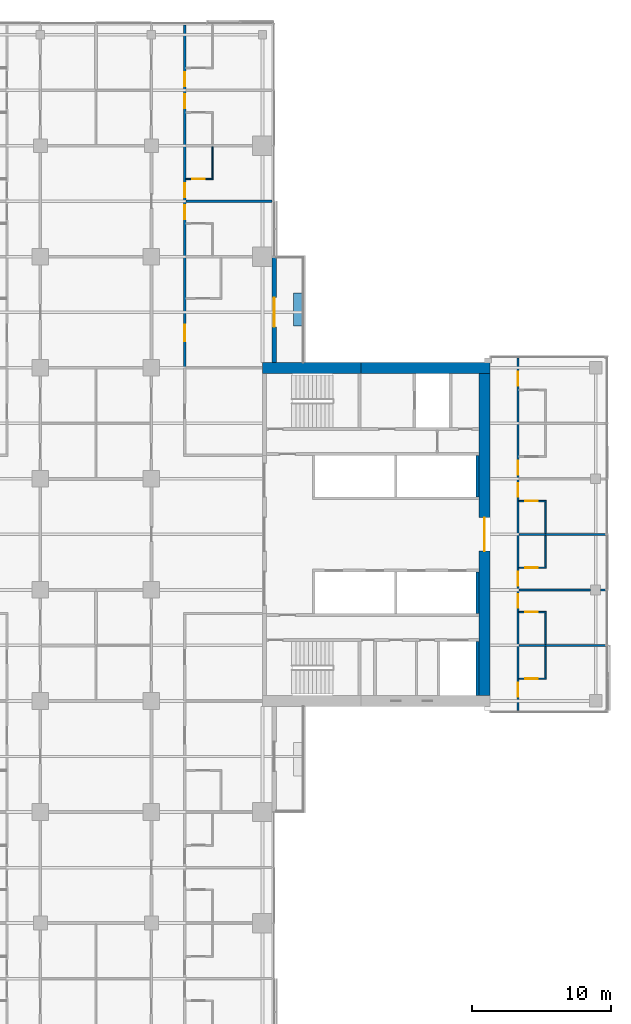
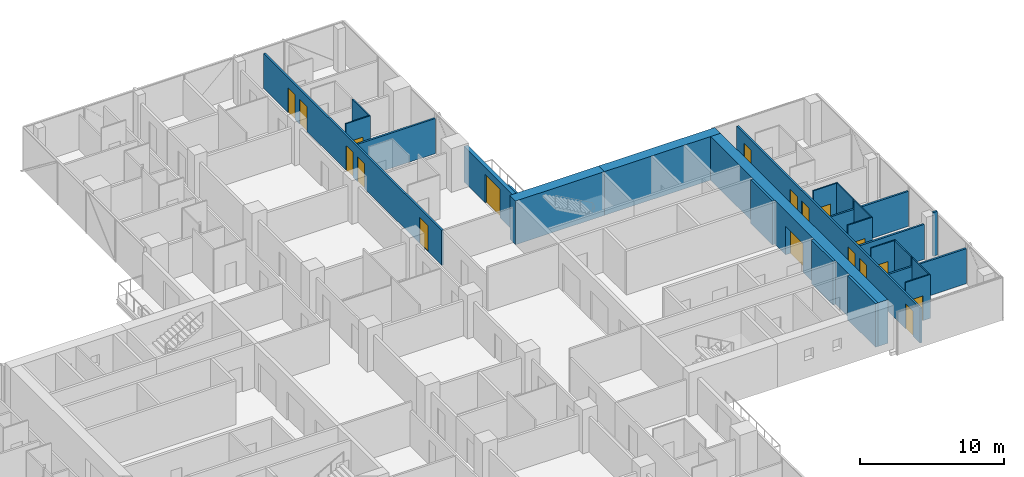
# One storey, part 22 of 29: 25 walls, 18 doors, 18 openings.
"""IFC4 building model written with IfcOpenShell, lengths in metres."""

from ifc_helpers import new_model, si_unit, direction, frame, frame_2d, origin, place, context, subcontext, project, spatial, rectangle, extrude, material, layer, layer_set, constituent, constituent_set, type_object, element, fill, save


model = new_model("IFC4")

# Units and contexts
model_context = context("Model", 3, precision=1e-05, world=origin(), true_north=direction((0.0, 1.0)))
body_context = subcontext(model_context, "Body", "Model", "MODEL_VIEW")
ifc_project = project(units=[si_unit("LENGTHUNIT", "METRE"), si_unit("AREAUNIT", "SQUARE_METRE"), si_unit("VOLUMEUNIT", "CUBIC_METRE"), si_unit("PLANEANGLEUNIT", "RADIAN"), si_unit("MASSUNIT", "GRAM", prefix="KILO")], contexts=[model_context])

# Site, building, storey
site_placement = place(None, origin())
site = spatial("IfcSite", under=ifc_project, at=site_placement, CompositionType="ELEMENT")
building_placement = place(site_placement, origin())
building = spatial("IfcBuilding", under=site, at=building_placement, Name="Crosswind Convention Tower", CompositionType="ELEMENT")
storey_placement = place(building_placement, frame((0.0, 0.0, 53.5)))
storey = spatial("IfcBuildingStorey", under=building, at=storey_placement, Name="L07", CompositionType="ELEMENT", Elevation=53.5)

# Wall, opening, door
ifc_material_1 = material(Name="Concrete C60/75", Category="concrete")
ifc_layer_1 = layer(ifc_material_1, 0.800048828125)
ifc_layer_set_1 = layer_set([ifc_layer_1], Name="Concrete C60/75")
wall_type_1 = type_object("IfcWallType", Name="Concrete core wall 800", PredefinedType="SHEAR", material=ifc_layer_set_1)
wall_1_placement = place(storey_placement, frame((153.0, 88.39990234375, 0.0), z_axis=(0.0, 0.0, 1.0), x_axis=(0.0, 1.0, 0.0)))
wall_1 = element("IfcWall", 1, at=wall_1_placement, inside=storey, type_object=wall_type_1, Name="Wall O E L07", PredefinedType="SHEAR", context=body_context, shape_type="SweptSolid", body=[
    extrude(rectangle(XDim=23.2001953125, YDim=0.800048828125, at=frame_2d((11.60009765625, 0.0))), origin(), (0.0, 0.0, 1.0), 3.699951171875),
])
opening_1_placement = place(wall_1_placement, frame((10.39990234375, 0.0, 0.0)))
opening_1 = element("IfcOpeningElement", 2, at=opening_1_placement, cuts=wall_1, Name="Opening D100", PredefinedType="OPENING", context=body_context, shape_type="SweptSolid", body=[
    extrude(rectangle(XDim=2.39990234375, YDim=2.39990234375, at=frame_2d((1.199951171875, 1.199951171875))), frame((0.0, 0.409912109375, 0.0), z_axis=(0.0, -1.0, 0.0), x_axis=(1.0, 0.0, 0.0)), (0.0, 0.0, 1.0), 0.820068359375),
])
ifc_material_2 = material(Name="Steel fire door with glazed vision panels", Category="steel")
door_type_1 = type_object("IfcDoorType", Name="Fire-rated double door 2400x2400", OperationType="DOUBLE_DOOR_SINGLE_SWING", PredefinedType="DOOR", material=ifc_material_2)
door_1_placement = place(opening_1_placement, origin())
door_1 = element("IfcDoor", 3, at=door_1_placement, inside=storey, type_object=door_type_1, Name="Lobby outer door L07", ObjectType="D100", OperationType="DOUBLE_DOOR_SINGLE_SWING", OverallHeight=2.39990234375, OverallWidth=2.39990234375, PredefinedType="DOOR", context=body_context, shape_type="SweptSolid", body=[
    extrude(rectangle(XDim=2.39990234375, YDim=2.39990234375, at=frame_2d((1.199951171875, 1.199951171875))), frame((0.0, 0.02490234375, 0.0), z_axis=(0.0, -1.0, 0.0), x_axis=(1.0, 0.0, 0.0)), (0.0, 0.0, 1.0), 0.050048828125),
])
fill(opening_1, door_1)

# Walls
ifc_material_3 = material(Name="Concrete C50/60", Category="concrete")
ifc_layer_2 = layer(ifc_material_3, 0.199951171875)
ifc_layer_set_2 = layer_set([ifc_layer_2], Name="Concrete C50/60")
wall_type_2 = type_object("IfcWallType", Name="Concrete shaft and stair wall 200", PredefinedType="SHEAR", material=ifc_layer_set_2)
for number, where, z_axis, x_axis, name in (
    (4, (152.5, 102.699951171875, 0.0), (0.0, 0.0, 1.0), (0.0, 1.0, 0.0), "Wall RPEAST E L07"),
    (5, (152.5, 94.300048828125, 0.0), (0.0, 0.0, 1.0), (0.0, 1.0, 0.0), "Wall RMEAST E L07"),
):
    element("IfcWall", number, at=place(storey_placement, frame(where, z_axis=z_axis, x_axis=x_axis)), inside=storey, type_object=wall_type_2, Name=name, PredefinedType="SHEAR", context=body_context, shape_type="SweptSolid", body=[
        extrude(rectangle(XDim=3.0, YDim=0.199951171875, at=frame_2d((1.5, 0.0))), origin(), (0.0, 0.0, 1.0), 3.699951171875),
    ])
wall_2_placement = place(storey_placement, frame((152.5, 88.39990234375, 0.0), z_axis=(0.0, 0.0, 1.0), x_axis=(0.0, 1.0, 0.0)))
element("IfcWall", 6, at=wall_2_placement, inside=storey, type_object=wall_type_2, Name="Wall MFSE E L07", PredefinedType="SHEAR", context=body_context, shape_type="SweptSolid", body=[
    extrude(rectangle(XDim=3.900146484375, YDim=0.199951171875, at=frame_2d((1.9501953125, 0.0))), origin(), (0.0, 0.0, 1.0), 3.699951171875),
])
ifc_material_4 = material(Name="Acoustic plasterboard partition", Category="gypsum")
ifc_layer_3 = layer(ifc_material_4, 0.14990234375)
ifc_layer_set_3 = layer_set([ifc_layer_3], Name="GUEST ROOM WALL 150")
wall_type_3 = type_object("IfcWallType", Name="GUEST ROOM WALL 150", PredefinedType="PARTITIONING", material=ifc_layer_set_3)
wall_3_placement = place(storey_placement, frame((155.47509765625, 92.0, 0.0), z_axis=(0.0, 0.0, 1.0), x_axis=(1.0, 0.0, 0.0)))
element("IfcWall", 7, at=wall_3_placement, inside=storey, type_object=wall_type_3, Name="Guest Room Wall 30", PredefinedType="PARTITIONING", context=body_context, shape_type="SweptSolid", body=[
    extrude(rectangle(XDim=6.224853515625, YDim=0.14990234375, at=frame_2d((3.1123046875, 0.0))), origin(), (0.0, 0.0, 1.0), 2.962890625),
])
wall_4_placement = place(storey_placement, frame((155.47509765625, 96.0, 0.0), z_axis=(0.0, 0.0, 1.0), x_axis=(1.0, 0.0, 0.0)))
element("IfcWall", 8, at=wall_4_placement, inside=storey, type_object=wall_type_3, Name="Guest Room Wall 39", PredefinedType="PARTITIONING", context=body_context, shape_type="SweptSolid", body=[
    extrude(rectangle(XDim=5.1748046875, YDim=0.14990234375, at=frame_2d((2.58740234375, 0.0))), origin(), (0.0, 0.0, 1.0), 2.956298828125),
])
wall_5_placement = place(storey_placement, frame((161.35009765625, 96.0, 0.0), z_axis=(0.0, 0.0, 1.0), x_axis=(1.0, 0.0, 0.0)))
element("IfcWall", 9, at=wall_5_placement, inside=storey, type_object=wall_type_3, Name="Guest Room Wall 40", PredefinedType="PARTITIONING", context=body_context, shape_type="SweptSolid", body=[
    extrude(rectangle(XDim=0.349853515625, YDim=0.14990234375, at=frame_2d((0.1748046875, 0.0))), origin(), (0.0, 0.0, 1.0), 3.699951171875),
])
for number, where, z_axis, x_axis, name in (
    (10, (155.47509765625, 100.0, 0.0), (0.0, 0.0, 1.0), (1.0, 0.0, 0.0), "Guest Room Wall 44"),
    (11, (131.47509765625, 124.0, 0.0), (0.0, 0.0, 1.0), (1.0, 0.0, 0.0), "Guest Room Wall 72"),
):
    element("IfcWall", number, at=place(storey_placement, frame(where, z_axis=z_axis, x_axis=x_axis)), inside=storey, type_object=wall_type_3, Name=name, PredefinedType="PARTITIONING", context=body_context, shape_type="SweptSolid", body=[
        extrude(rectangle(XDim=6.224853515625, YDim=0.14990234375, at=frame_2d((3.1123046875, 0.0))), origin(), (0.0, 0.0, 1.0), 2.962890625),
    ])

# Wall, openings, doors
wall_6_placement = place(storey_placement, frame((131.39990234375, 112.0, 0.0), z_axis=(0.0, 0.0, 1.0), x_axis=(0.0, 1.0, 0.0)))
wall_6 = element("IfcWall", 12, at=wall_6_placement, inside=storey, type_object=wall_type_3, Name="Guest Room Wall 142", PredefinedType="PARTITIONING", context=body_context, shape_type="SweptSolid", body=[
    extrude(rectangle(XDim=24.699951171875, YDim=0.14990234375, at=frame_2d((12.35009765625, 0.0))), origin(), (0.0, 0.0, 1.0), 2.956298828125),
])
opening_2_placement = place(wall_6_placement, frame((1.89990234375, 0.0, 0.0)))
opening_2 = element("IfcOpeningElement", 13, at=opening_2_placement, cuts=wall_6, Name="Opening 07.005", PredefinedType="OPENING", context=body_context, shape_type="SweptSolid", body=[
    extrude(rectangle(XDim=1.199951171875, YDim=2.199951171875, at=frame_2d((0.60009765625, 1.10009765625))), frame((0.0, 0.0849609375, 0.0), z_axis=(0.0, -1.0, 0.0), x_axis=(1.0, 0.0, 0.0)), (0.0, 0.0, 1.0), 0.169921875),
])
opening_3_placement = place(wall_6_placement, frame((10.699951171875, 0.0, 0.0)))
opening_3 = element("IfcOpeningElement", 14, at=opening_3_placement, cuts=wall_6, Name="Opening 07.007", PredefinedType="OPENING", context=body_context, shape_type="SweptSolid", body=[
    extrude(rectangle(XDim=1.0, YDim=2.10009765625, at=frame_2d((0.5, 1.050048828125))), frame((0.0, 0.0849609375, 0.0), z_axis=(0.0, -1.0, 0.0), x_axis=(1.0, 0.0, 0.0)), (0.0, 0.0, 1.0), 0.169921875),
])
opening_4_placement = place(wall_6_placement, frame((12.300048828125, 0.0, 0.0)))
opening_4 = element("IfcOpeningElement", 15, at=opening_4_placement, cuts=wall_6, Name="Opening 07.009", PredefinedType="OPENING", context=body_context, shape_type="SweptSolid", body=[
    extrude(rectangle(XDim=1.0, YDim=2.10009765625, at=frame_2d((0.5, 1.050048828125))), frame((0.0, 0.0849609375, 0.0), z_axis=(0.0, -1.0, 0.0), x_axis=(1.0, 0.0, 0.0)), (0.0, 0.0, 1.0), 0.169921875),
])
opening_5_placement = place(wall_6_placement, frame((18.699951171875, 0.0, 0.0)))
opening_5 = element("IfcOpeningElement", 16, at=opening_5_placement, cuts=wall_6, Name="Opening 07.011", PredefinedType="OPENING", context=body_context, shape_type="SweptSolid", body=[
    extrude(rectangle(XDim=1.0, YDim=2.10009765625, at=frame_2d((0.5, 1.050048828125))), frame((0.0, 0.0849609375, 0.0), z_axis=(0.0, -1.0, 0.0), x_axis=(1.0, 0.0, 0.0)), (0.0, 0.0, 1.0), 0.169921875),
])
opening_6_placement = place(wall_6_placement, frame((20.300048828125, 0.0, 0.0)))
opening_6 = element("IfcOpeningElement", 17, at=opening_6_placement, cuts=wall_6, Name="Opening 07.013", PredefinedType="OPENING", context=body_context, shape_type="SweptSolid", body=[
    extrude(rectangle(XDim=1.0, YDim=2.10009765625, at=frame_2d((0.5, 1.050048828125))), frame((0.0, 0.0849609375, 0.0), z_axis=(0.0, -1.0, 0.0), x_axis=(1.0, 0.0, 0.0)), (0.0, 0.0, 1.0), 0.169921875),
])
ifc_material_5 = material(Name="Timber fire door", Category="wood")
door_type_2 = type_object("IfcDoorType", Name="GUEST ROOM DOOR 1000X2100", OperationType="NOTDEFINED", PredefinedType="DOOR", material=ifc_material_5)
door_2_placement = place(opening_3_placement, frame((1.0, 0.0, 0.0), z_axis=(0.0, 0.0, 1.0), x_axis=(-1.0, 0.0, 0.0)))
door_2 = element("IfcDoor", 18, at=door_2_placement, inside=storey, type_object=door_type_2, Name="Door 07.007", ObjectType="D1", OperationType="SINGLE_SWING_LEFT", OverallHeight=2.10009765625, OverallWidth=1.0, PredefinedType="DOOR", context=body_context, shape_type="SweptSolid", body=[
    extrude(rectangle(XDim=1.0, YDim=2.10009765625, at=frame_2d((0.5, 1.050048828125))), frame((0.0, 0.02490234375, 0.0), z_axis=(0.0, -1.0, 0.0), x_axis=(1.0, 0.0, 0.0)), (0.0, 0.0, 1.0), 0.050048828125),
])
fill(opening_3, door_2)
door_3_placement = place(opening_4_placement, frame((1.0, 0.0, 0.0), z_axis=(0.0, 0.0, 1.0), x_axis=(-1.0, 0.0, 0.0)))
door_3 = element("IfcDoor", 19, at=door_3_placement, inside=storey, type_object=door_type_2, Name="Door 07.009", ObjectType="D1", OperationType="SINGLE_SWING_LEFT", OverallHeight=2.10009765625, OverallWidth=1.0, PredefinedType="DOOR", context=body_context, shape_type="SweptSolid", body=[
    extrude(rectangle(XDim=1.0, YDim=2.10009765625, at=frame_2d((0.5, 1.050048828125))), frame((0.0, 0.02490234375, 0.0), z_axis=(0.0, -1.0, 0.0), x_axis=(1.0, 0.0, 0.0)), (0.0, 0.0, 1.0), 0.050048828125),
])
fill(opening_4, door_3)
door_4_placement = place(opening_5_placement, frame((1.0, 0.0, 0.0), z_axis=(0.0, 0.0, 1.0), x_axis=(-1.0, 0.0, 0.0)))
door_4 = element("IfcDoor", 20, at=door_4_placement, inside=storey, type_object=door_type_2, Name="Door 07.011", ObjectType="D1", OperationType="SINGLE_SWING_LEFT", OverallHeight=2.10009765625, OverallWidth=1.0, PredefinedType="DOOR", context=body_context, shape_type="SweptSolid", body=[
    extrude(rectangle(XDim=1.0, YDim=2.10009765625, at=frame_2d((0.5, 1.050048828125))), frame((0.0, 0.02490234375, 0.0), z_axis=(0.0, -1.0, 0.0), x_axis=(1.0, 0.0, 0.0)), (0.0, 0.0, 1.0), 0.050048828125),
])
fill(opening_5, door_4)
door_5_placement = place(opening_6_placement, frame((1.0, 0.0, 0.0), z_axis=(0.0, 0.0, 1.0), x_axis=(-1.0, 0.0, 0.0)))
door_5 = element("IfcDoor", 21, at=door_5_placement, inside=storey, type_object=door_type_2, Name="Door 07.013", ObjectType="D1", OperationType="SINGLE_SWING_LEFT", OverallHeight=2.10009765625, OverallWidth=1.0, PredefinedType="DOOR", context=body_context, shape_type="SweptSolid", body=[
    extrude(rectangle(XDim=1.0, YDim=2.10009765625, at=frame_2d((0.5, 1.050048828125))), frame((0.0, 0.02490234375, 0.0), z_axis=(0.0, -1.0, 0.0), x_axis=(1.0, 0.0, 0.0)), (0.0, 0.0, 1.0), 0.050048828125),
])
fill(opening_6, door_5)
door_type_3 = type_object("IfcDoorType", Name="SUITE DOOR 1200X2200", OperationType="DOUBLE_DOOR_SINGLE_SWING", PredefinedType="DOOR", material=ifc_material_5)
door_6_placement = place(opening_2_placement, frame((1.199951171875, 0.0, 0.0), z_axis=(0.0, 0.0, 1.0), x_axis=(-1.0, 0.0, 0.0)))
door_6 = element("IfcDoor", 22, at=door_6_placement, inside=storey, type_object=door_type_3, Name="Door 07.005", ObjectType="D14", OperationType="DOUBLE_DOOR_SINGLE_SWING", OverallHeight=2.199951171875, OverallWidth=1.199951171875, PredefinedType="DOOR", context=body_context, shape_type="SweptSolid", body=[
    extrude(rectangle(XDim=1.199951171875, YDim=2.199951171875, at=frame_2d((0.60009765625, 1.10009765625))), frame((0.0, 0.02490234375, 0.0), z_axis=(0.0, -1.0, 0.0), x_axis=(1.0, 0.0, 0.0)), (0.0, 0.0, 1.0), 0.050048828125),
])
fill(opening_2, door_6)

wall_7_placement = place(storey_placement, frame((155.39990234375, 87.300048828125, 0.0), z_axis=(0.0, 0.0, 1.0), x_axis=(0.0, 1.0, 0.0)))
wall_7 = element("IfcWall", 23, at=wall_7_placement, inside=storey, type_object=wall_type_3, Name="Guest Room Wall 153", PredefinedType="PARTITIONING", context=body_context, shape_type="SweptSolid", body=[
    extrude(rectangle(XDim=25.39990234375, YDim=0.14990234375, at=frame_2d((12.699951171875, 0.0))), origin(), (0.0, 0.0, 1.0), 2.956298828125),
])
opening_7_placement = place(wall_7_placement, frame((1.0, 0.0, 0.0)))
opening_7 = element("IfcOpeningElement", 24, at=opening_7_placement, cuts=wall_7, Name="Opening 07.045", PredefinedType="OPENING", context=body_context, shape_type="SweptSolid", body=[
    extrude(rectangle(XDim=1.0, YDim=2.10009765625, at=frame_2d((0.5, 1.050048828125))), frame((0.0, 0.0849609375, 0.0), z_axis=(0.0, -1.0, 0.0), x_axis=(1.0, 0.0, 0.0)), (0.0, 0.0, 1.0), 0.169921875),
])
opening_8_placement = place(wall_7_placement, frame((7.39990234375, 0.0, 0.0)))
opening_8 = element("IfcOpeningElement", 25, at=opening_8_placement, cuts=wall_7, Name="Opening 07.047", PredefinedType="OPENING", context=body_context, shape_type="SweptSolid", body=[
    extrude(rectangle(XDim=1.0, YDim=2.10009765625, at=frame_2d((0.5, 1.050048828125))), frame((0.0, 0.0849609375, 0.0), z_axis=(0.0, -1.0, 0.0), x_axis=(1.0, 0.0, 0.0)), (0.0, 0.0, 1.0), 0.169921875),
])
opening_9_placement = place(wall_7_placement, frame((9.0, 0.0, 0.0)))
opening_9 = element("IfcOpeningElement", 26, at=opening_9_placement, cuts=wall_7, Name="Opening 07.049", PredefinedType="OPENING", context=body_context, shape_type="SweptSolid", body=[
    extrude(rectangle(XDim=1.0, YDim=2.10009765625, at=frame_2d((0.5, 1.050048828125))), frame((0.0, 0.0849609375, 0.0), z_axis=(0.0, -1.0, 0.0), x_axis=(1.0, 0.0, 0.0)), (0.0, 0.0, 1.0), 0.169921875),
])
opening_10_placement = place(wall_7_placement, frame((15.39990234375, 0.0, 0.0)))
opening_10 = element("IfcOpeningElement", 27, at=opening_10_placement, cuts=wall_7, Name="Opening 07.051", PredefinedType="OPENING", context=body_context, shape_type="SweptSolid", body=[
    extrude(rectangle(XDim=1.0, YDim=2.10009765625, at=frame_2d((0.5, 1.050048828125))), frame((0.0, 0.0849609375, 0.0), z_axis=(0.0, -1.0, 0.0), x_axis=(1.0, 0.0, 0.0)), (0.0, 0.0, 1.0), 0.169921875),
])
opening_11_placement = place(wall_7_placement, frame((17.0, 0.0, 0.0)))
opening_11 = element("IfcOpeningElement", 28, at=opening_11_placement, cuts=wall_7, Name="Opening 07.053", PredefinedType="OPENING", context=body_context, shape_type="SweptSolid", body=[
    extrude(rectangle(XDim=1.0, YDim=2.10009765625, at=frame_2d((0.5, 1.050048828125))), frame((0.0, 0.0849609375, 0.0), z_axis=(0.0, -1.0, 0.0), x_axis=(1.0, 0.0, 0.0)), (0.0, 0.0, 1.0), 0.169921875),
])
opening_12_placement = place(wall_7_placement, frame((23.39990234375, 0.0, 0.0)))
opening_12 = element("IfcOpeningElement", 29, at=opening_12_placement, cuts=wall_7, Name="Opening 07.055", PredefinedType="OPENING", context=body_context, shape_type="SweptSolid", body=[
    extrude(rectangle(XDim=1.0, YDim=2.10009765625, at=frame_2d((0.5, 1.050048828125))), frame((0.0, 0.0849609375, 0.0), z_axis=(0.0, -1.0, 0.0), x_axis=(1.0, 0.0, 0.0)), (0.0, 0.0, 1.0), 0.169921875),
])
door_7_placement = place(opening_7_placement, frame((1.0, 0.0, 0.0), z_axis=(0.0, 0.0, 1.0), x_axis=(-1.0, 0.0, 0.0)))
door_7 = element("IfcDoor", 30, at=door_7_placement, inside=storey, type_object=door_type_2, Name="Door 07.045", ObjectType="D1", OperationType="SINGLE_SWING_LEFT", OverallHeight=2.10009765625, OverallWidth=1.0, PredefinedType="DOOR", context=body_context, shape_type="SweptSolid", body=[
    extrude(rectangle(XDim=1.0, YDim=2.10009765625, at=frame_2d((0.5, 1.050048828125))), frame((0.0, 0.02490234375, 0.0), z_axis=(0.0, -1.0, 0.0), x_axis=(1.0, 0.0, 0.0)), (0.0, 0.0, 1.0), 0.050048828125),
])
fill(opening_7, door_7)
door_8_placement = place(opening_8_placement, frame((1.0, 0.0, 0.0), z_axis=(0.0, 0.0, 1.0), x_axis=(-1.0, 0.0, 0.0)))
door_8 = element("IfcDoor", 31, at=door_8_placement, inside=storey, type_object=door_type_2, Name="Door 07.047", ObjectType="D1", OperationType="SINGLE_SWING_LEFT", OverallHeight=2.10009765625, OverallWidth=1.0, PredefinedType="DOOR", context=body_context, shape_type="SweptSolid", body=[
    extrude(rectangle(XDim=1.0, YDim=2.10009765625, at=frame_2d((0.5, 1.050048828125))), frame((0.0, 0.02490234375, 0.0), z_axis=(0.0, -1.0, 0.0), x_axis=(1.0, 0.0, 0.0)), (0.0, 0.0, 1.0), 0.050048828125),
])
fill(opening_8, door_8)
door_9_placement = place(opening_9_placement, frame((1.0, 0.0, 0.0), z_axis=(0.0, 0.0, 1.0), x_axis=(-1.0, 0.0, 0.0)))
door_9 = element("IfcDoor", 32, at=door_9_placement, inside=storey, type_object=door_type_2, Name="Door 07.049", ObjectType="D1", OperationType="SINGLE_SWING_LEFT", OverallHeight=2.10009765625, OverallWidth=1.0, PredefinedType="DOOR", context=body_context, shape_type="SweptSolid", body=[
    extrude(rectangle(XDim=1.0, YDim=2.10009765625, at=frame_2d((0.5, 1.050048828125))), frame((0.0, 0.02490234375, 0.0), z_axis=(0.0, -1.0, 0.0), x_axis=(1.0, 0.0, 0.0)), (0.0, 0.0, 1.0), 0.050048828125),
])
fill(opening_9, door_9)
door_10_placement = place(opening_10_placement, frame((1.0, 0.0, 0.0), z_axis=(0.0, 0.0, 1.0), x_axis=(-1.0, 0.0, 0.0)))
door_10 = element("IfcDoor", 33, at=door_10_placement, inside=storey, type_object=door_type_2, Name="Door 07.051", ObjectType="D1", OperationType="SINGLE_SWING_LEFT", OverallHeight=2.10009765625, OverallWidth=1.0, PredefinedType="DOOR", context=body_context, shape_type="SweptSolid", body=[
    extrude(rectangle(XDim=1.0, YDim=2.10009765625, at=frame_2d((0.5, 1.050048828125))), frame((0.0, 0.02490234375, 0.0), z_axis=(0.0, -1.0, 0.0), x_axis=(1.0, 0.0, 0.0)), (0.0, 0.0, 1.0), 0.050048828125),
])
fill(opening_10, door_10)
door_11_placement = place(opening_11_placement, frame((1.0, 0.0, 0.0), z_axis=(0.0, 0.0, 1.0), x_axis=(-1.0, 0.0, 0.0)))
door_11 = element("IfcDoor", 34, at=door_11_placement, inside=storey, type_object=door_type_2, Name="Door 07.053", ObjectType="D1", OperationType="SINGLE_SWING_LEFT", OverallHeight=2.10009765625, OverallWidth=1.0, PredefinedType="DOOR", context=body_context, shape_type="SweptSolid", body=[
    extrude(rectangle(XDim=1.0, YDim=2.10009765625, at=frame_2d((0.5, 1.050048828125))), frame((0.0, 0.02490234375, 0.0), z_axis=(0.0, -1.0, 0.0), x_axis=(1.0, 0.0, 0.0)), (0.0, 0.0, 1.0), 0.050048828125),
])
fill(opening_11, door_11)
door_12_placement = place(opening_12_placement, frame((1.0, 0.0, 0.0), z_axis=(0.0, 0.0, 1.0), x_axis=(-1.0, 0.0, 0.0)))
door_12 = element("IfcDoor", 35, at=door_12_placement, inside=storey, type_object=door_type_2, Name="Door 07.055", ObjectType="D1", OperationType="SINGLE_SWING_RIGHT", OverallHeight=2.10009765625, OverallWidth=1.0, PredefinedType="DOOR", context=body_context, shape_type="SweptSolid", body=[
    extrude(rectangle(XDim=1.0, YDim=2.10009765625, at=frame_2d((0.5, 1.050048828125))), frame((0.0, 0.02490234375, 0.0), z_axis=(0.0, -1.0, 0.0), x_axis=(1.0, 0.0, 0.0)), (0.0, 0.0, 1.0), 0.050048828125),
])
fill(opening_12, door_12)

# Wall
ifc_material_6 = material(Name="Concrete C30/37", Category="concrete")
ifc_layer_4 = layer(ifc_material_6, 0.60009765625)
ifc_layer_set_4 = layer_set([ifc_layer_4], Name="Concrete C30/37")
wall_type_4 = type_object("IfcWallType", Name="PLANTER BOX WALL 600", PredefinedType="SOLIDWALL", material=ifc_layer_set_4)
wall_8_placement = place(storey_placement, frame((139.550048828125, 115.0, 0.0), z_axis=(0.0, 0.0, 1.0), x_axis=(0.0, 1.0, 0.0)))
element("IfcWall", 36, at=wall_8_placement, inside=storey, type_object=wall_type_4, Name="PLANTER L07 N-E.1-1", PredefinedType="SOLIDWALL", context=body_context, shape_type="SweptSolid", body=[
    extrude(rectangle(XDim=2.39990234375, YDim=0.60009765625, at=frame_2d((1.199951171875, 0.0))), origin(), (0.0, 0.0, 1.0), 0.60009765625),
])

# Wall, opening, door
ifc_material_7 = material(Name="Terracotta rainscreen", Category="ceramic")
ifc_layer_5 = layer(ifc_material_7, 0.02001953125)
ifc_material_8 = material(Name="Mineral wool insulation", Category="insulation")
ifc_layer_6 = layer(ifc_material_8, 0.10009765625)
ifc_material_9 = material(Name="Concrete blockwork", Category="masonry")
ifc_layer_7 = layer(ifc_material_9, 0.179931640625)
ifc_layer_set_5 = layer_set([ifc_layer_5, ifc_layer_6, ifc_layer_7], Name="TERRACOTTA INFILL WALL 300")
wall_type_5 = type_object("IfcWallType", Name="TERRACOTTA INFILL WALL 300", PredefinedType="SOLIDWALL", material=ifc_layer_set_5)
wall_9_placement = place(storey_placement, frame((137.85009765625, 112.39990234375, 0.0), z_axis=(0.0, 0.0, 1.0), x_axis=(0.0, 1.0, 0.0)))
wall_9 = element("IfcWall", 37, at=wall_9_placement, inside=storey, type_object=wall_type_5, Name="Notch front wall L07 N-E.1-1", PredefinedType="SOLIDWALL", context=body_context, shape_type="SweptSolid", body=[
    extrude(rectangle(XDim=7.567626953125, YDim=0.300048828125, at=frame_2d((3.78369140625, 0.0))), origin(), (0.0, 0.0, 1.0), 3.013671875),
])
opening_13_placement = place(wall_9_placement, frame((2.550048828125, 0.0, 0.0)))
opening_13 = element("IfcOpeningElement", 38, at=opening_13_placement, cuts=wall_9, Name="Opening D141", PredefinedType="OPENING", context=body_context, shape_type="SweptSolid", body=[
    extrude(rectangle(XDim=2.10009765625, YDim=2.39990234375, at=frame_2d((1.050048828125, 1.199951171875))), frame((0.0, 0.159912109375, 0.0), z_axis=(0.0, -1.0, 0.0), x_axis=(1.0, 0.0, 0.0)), (0.0, 0.0, 1.0), 0.320068359375),
])
ifc_material_10 = material(Name="Aluminium glazed door", Category="aluminium")
door_type_4 = type_object("IfcDoorType", Name="BALCONY SLIDING DOOR 2100X2400", OperationType="SLIDING_TO_LEFT", PredefinedType="DOOR", material=ifc_material_10)
door_13_placement = place(opening_13_placement, frame((2.10009765625, 0.0, 0.0), z_axis=(0.0, 0.0, 1.0), x_axis=(-1.0, 0.0, 0.0)))
door_13 = element("IfcDoor", 39, at=door_13_placement, inside=storey, type_object=door_type_4, Name="D141 balcony door L07 N-E.1-1", ObjectType="D141", OperationType="SLIDING_TO_LEFT", OverallHeight=2.39990234375, OverallWidth=2.10009765625, PredefinedType="DOOR", context=body_context, shape_type="SweptSolid", body=[
    extrude(rectangle(XDim=2.10009765625, YDim=2.39990234375, at=frame_2d((1.050048828125, 1.199951171875))), frame((0.0, 0.02490234375, 0.0), z_axis=(0.0, -1.0, 0.0), x_axis=(1.0, 0.0, 0.0)), (0.0, 0.0, 1.0), 0.050048828125),
])
fill(opening_13, door_13)

# Walls
ifc_constituent_1 = constituent(ifc_material_1, Name="Structure")
ifc_constituent_2 = constituent(ifc_material_7, Name="Facing")
ifc_constituent_set = constituent_set(constituents=[ifc_constituent_1, ifc_constituent_2], Name="Concrete C60/75, Terracotta rainscreen")
wall_type_6 = type_object("IfcWallType", Name="Terracotta rainscreen on concrete core wall 800", PredefinedType="SHEAR", material=ifc_constituent_set)
wall_10_placement = place(storey_placement, frame((137.0, 112.0, 0.0), z_axis=(0.0, 0.0, 1.0), x_axis=(1.0, 0.0, 0.0)))
element("IfcWall", 40, at=wall_10_placement, inside=storey, type_object=wall_type_6, Name="Wall N1 E L07", PredefinedType="SHEAR", context=body_context, shape_type="SweptSolid", body=[
    extrude(rectangle(XDim=7.10009765625, YDim=0.800048828125, at=frame_2d((3.550048828125, 0.0))), origin(), (0.0, 0.0, 1.0), 3.699951171875),
])
wall_11_placement = place(storey_placement, frame((144.10009765625, 112.0, 0.0), z_axis=(0.0, 0.0, 1.0), x_axis=(1.0, 0.0, 0.0)))
element("IfcWall", 41, at=wall_11_placement, inside=storey, type_object=wall_type_6, Name="Wall N2 E L07", PredefinedType="SHEAR", context=body_context, shape_type="SweptSolid", body=[
    extrude(rectangle(XDim=9.2998046875, YDim=0.800048828125, at=frame_2d((4.64990234375, 0.0))), origin(), (0.0, 0.0, 1.0), 3.699951171875),
])

# Wall, opening, door
ifc_material_11 = material(Name="Water-resistant plasterboard partition", Category="gypsum")
ifc_layer_8 = layer(ifc_material_11, 0.10009765625)
ifc_layer_set_6 = layer_set([ifc_layer_8], Name="WET ROOM PARTITION 100")
wall_type_7 = type_object("IfcWallType", Name="WET ROOM PARTITION 100", PredefinedType="PLUMBINGWALL", material=ifc_layer_set_6)
wall_12_placement = place(storey_placement, frame((155.47509765625, 89.60009765625, 0.0), z_axis=(0.0, 0.0, 1.0), x_axis=(1.0, 0.0, 0.0)))
wall_12 = element("IfcWall", 42, at=wall_12_placement, inside=storey, type_object=wall_type_7, Name="Wet Room Partition 26", PredefinedType="PLUMBINGWALL", context=body_context, shape_type="SweptSolid", body=[
    extrude(rectangle(XDim=1.974853515625, YDim=0.10009765625, at=frame_2d((0.9873046875, 0.0))), origin(), (0.0, 0.0, 1.0), 3.699951171875),
])
opening_14_placement = place(wall_12_placement, frame((0.47509765625, 0.0, 0.0)))
opening_14 = element("IfcOpeningElement", 43, at=opening_14_placement, cuts=wall_12, Name="Opening 07.046", PredefinedType="OPENING", context=body_context, shape_type="SweptSolid", body=[
    extrude(rectangle(XDim=0.89990234375, YDim=2.10009765625, at=frame_2d((0.449951171875, 1.050048828125))), frame((0.0, 0.06005859375, 0.0), z_axis=(0.0, -1.0, 0.0), x_axis=(1.0, 0.0, 0.0)), (0.0, 0.0, 1.0), 0.1201171875),
])
ifc_material_12 = material(Name="Timber door", Category="wood")
door_type_5 = type_object("IfcDoorType", Name="EN-SUITE DOOR 900X2100", OperationType="NOTDEFINED", PredefinedType="DOOR", material=ifc_material_12)
door_14_placement = place(opening_14_placement, origin())
door_14 = element("IfcDoor", 44, at=door_14_placement, inside=storey, type_object=door_type_5, Name="Door 07.046", ObjectType="D2", OperationType="SINGLE_SWING_RIGHT", OverallHeight=2.10009765625, OverallWidth=0.89990234375, PredefinedType="DOOR", context=body_context, shape_type="SweptSolid", body=[
    extrude(rectangle(XDim=0.89990234375, YDim=2.10009765625, at=frame_2d((0.449951171875, 1.050048828125))), frame((0.0, 0.02490234375, 0.0), z_axis=(0.0, -1.0, 0.0), x_axis=(1.0, 0.0, 0.0)), (0.0, 0.0, 1.0), 0.050048828125),
])
fill(opening_14, door_14)

wall_13_placement = place(storey_placement, frame((155.47509765625, 94.39990234375, 0.0), z_axis=(0.0, 0.0, 1.0), x_axis=(1.0, 0.0, 0.0)))
wall_13 = element("IfcWall", 45, at=wall_13_placement, inside=storey, type_object=wall_type_7, Name="Wet Room Partition 34", PredefinedType="PLUMBINGWALL", context=body_context, shape_type="SweptSolid", body=[
    extrude(rectangle(XDim=1.974853515625, YDim=0.10009765625, at=frame_2d((0.9873046875, 0.0))), origin(), (0.0, 0.0, 1.0), 3.699951171875),
])
opening_15_placement = place(wall_13_placement, frame((0.47509765625, 0.0, 0.0)))
opening_15 = element("IfcOpeningElement", 46, at=opening_15_placement, cuts=wall_13, Name="Opening 07.048", PredefinedType="OPENING", context=body_context, shape_type="SweptSolid", body=[
    extrude(rectangle(XDim=0.89990234375, YDim=2.10009765625, at=frame_2d((0.449951171875, 1.050048828125))), frame((0.0, 0.06005859375, 0.0), z_axis=(0.0, -1.0, 0.0), x_axis=(1.0, 0.0, 0.0)), (0.0, 0.0, 1.0), 0.1201171875),
])
door_15_placement = place(opening_15_placement, frame((0.89990234375, 0.0, 0.0), z_axis=(0.0, 0.0, 1.0), x_axis=(-1.0, 0.0, 0.0)))
door_15 = element("IfcDoor", 47, at=door_15_placement, inside=storey, type_object=door_type_5, Name="Door 07.048", ObjectType="D2", OperationType="SINGLE_SWING_LEFT", OverallHeight=2.10009765625, OverallWidth=0.89990234375, PredefinedType="DOOR", context=body_context, shape_type="SweptSolid", body=[
    extrude(rectangle(XDim=0.89990234375, YDim=2.10009765625, at=frame_2d((0.449951171875, 1.050048828125))), frame((0.0, 0.02490234375, 0.0), z_axis=(0.0, -1.0, 0.0), x_axis=(1.0, 0.0, 0.0)), (0.0, 0.0, 1.0), 0.050048828125),
])
fill(opening_15, door_15)

wall_14_placement = place(storey_placement, frame((155.47509765625, 97.60009765625, 0.0), z_axis=(0.0, 0.0, 1.0), x_axis=(1.0, 0.0, 0.0)))
wall_14 = element("IfcWall", 48, at=wall_14_placement, inside=storey, type_object=wall_type_7, Name="Wet Room Partition 42", PredefinedType="PLUMBINGWALL", context=body_context, shape_type="SweptSolid", body=[
    extrude(rectangle(XDim=1.974853515625, YDim=0.10009765625, at=frame_2d((0.9873046875, 0.0))), origin(), (0.0, 0.0, 1.0), 3.699951171875),
])
opening_16_placement = place(wall_14_placement, frame((0.47509765625, 0.0, 0.0)))
opening_16 = element("IfcOpeningElement", 49, at=opening_16_placement, cuts=wall_14, Name="Opening 07.050", PredefinedType="OPENING", context=body_context, shape_type="SweptSolid", body=[
    extrude(rectangle(XDim=0.89990234375, YDim=2.10009765625, at=frame_2d((0.449951171875, 1.050048828125))), frame((0.0, 0.06005859375, 0.0), z_axis=(0.0, -1.0, 0.0), x_axis=(1.0, 0.0, 0.0)), (0.0, 0.0, 1.0), 0.1201171875),
])
door_16_placement = place(opening_16_placement, origin())
door_16 = element("IfcDoor", 50, at=door_16_placement, inside=storey, type_object=door_type_5, Name="Door 07.050", ObjectType="D2", OperationType="SINGLE_SWING_RIGHT", OverallHeight=2.10009765625, OverallWidth=0.89990234375, PredefinedType="DOOR", context=body_context, shape_type="SweptSolid", body=[
    extrude(rectangle(XDim=0.89990234375, YDim=2.10009765625, at=frame_2d((0.449951171875, 1.050048828125))), frame((0.0, 0.02490234375, 0.0), z_axis=(0.0, -1.0, 0.0), x_axis=(1.0, 0.0, 0.0)), (0.0, 0.0, 1.0), 0.050048828125),
])
fill(opening_16, door_16)

wall_15_placement = place(storey_placement, frame((155.47509765625, 102.39990234375, 0.0), z_axis=(0.0, 0.0, 1.0), x_axis=(1.0, 0.0, 0.0)))
wall_15 = element("IfcWall", 51, at=wall_15_placement, inside=storey, type_object=wall_type_7, Name="Wet Room Partition 46", PredefinedType="PLUMBINGWALL", context=body_context, shape_type="SweptSolid", body=[
    extrude(rectangle(XDim=1.974853515625, YDim=0.10009765625, at=frame_2d((0.9873046875, 0.0))), origin(), (0.0, 0.0, 1.0), 3.699951171875),
])
opening_17_placement = place(wall_15_placement, frame((0.47509765625, 0.0, 0.0)))
opening_17 = element("IfcOpeningElement", 52, at=opening_17_placement, cuts=wall_15, Name="Opening 07.052", PredefinedType="OPENING", context=body_context, shape_type="SweptSolid", body=[
    extrude(rectangle(XDim=0.89990234375, YDim=2.10009765625, at=frame_2d((0.449951171875, 1.050048828125))), frame((0.0, 0.06005859375, 0.0), z_axis=(0.0, -1.0, 0.0), x_axis=(1.0, 0.0, 0.0)), (0.0, 0.0, 1.0), 0.1201171875),
])
door_17_placement = place(opening_17_placement, frame((0.89990234375, 0.0, 0.0), z_axis=(0.0, 0.0, 1.0), x_axis=(-1.0, 0.0, 0.0)))
door_17 = element("IfcDoor", 53, at=door_17_placement, inside=storey, type_object=door_type_5, Name="Door 07.052", ObjectType="D2", OperationType="SINGLE_SWING_LEFT", OverallHeight=2.10009765625, OverallWidth=0.89990234375, PredefinedType="DOOR", context=body_context, shape_type="SweptSolid", body=[
    extrude(rectangle(XDim=0.89990234375, YDim=2.10009765625, at=frame_2d((0.449951171875, 1.050048828125))), frame((0.0, 0.02490234375, 0.0), z_axis=(0.0, -1.0, 0.0), x_axis=(1.0, 0.0, 0.0)), (0.0, 0.0, 1.0), 0.050048828125),
])
fill(opening_17, door_17)

wall_16_placement = place(storey_placement, frame((131.47509765625, 125.60009765625, 0.0), z_axis=(0.0, 0.0, 1.0), x_axis=(1.0, 0.0, 0.0)))
wall_16 = element("IfcWall", 54, at=wall_16_placement, inside=storey, type_object=wall_type_7, Name="Wet Room Partition 74", PredefinedType="PLUMBINGWALL", context=body_context, shape_type="SweptSolid", body=[
    extrude(rectangle(XDim=1.974853515625, YDim=0.10009765625, at=frame_2d((0.9873046875, 0.0))), origin(), (0.0, 0.0, 1.0), 3.699951171875),
])
opening_18_placement = place(wall_16_placement, frame((0.47509765625, 0.0, 0.0)))
opening_18 = element("IfcOpeningElement", 55, at=opening_18_placement, cuts=wall_16, Name="Opening 07.010", PredefinedType="OPENING", context=body_context, shape_type="SweptSolid", body=[
    extrude(rectangle(XDim=0.89990234375, YDim=2.10009765625, at=frame_2d((0.449951171875, 1.050048828125))), frame((0.0, 0.06005859375, 0.0), z_axis=(0.0, -1.0, 0.0), x_axis=(1.0, 0.0, 0.0)), (0.0, 0.0, 1.0), 0.1201171875),
])
door_18_placement = place(opening_18_placement, origin())
door_18 = element("IfcDoor", 56, at=door_18_placement, inside=storey, type_object=door_type_5, Name="Door 07.010", ObjectType="D2", OperationType="SINGLE_SWING_RIGHT", OverallHeight=2.10009765625, OverallWidth=0.89990234375, PredefinedType="DOOR", context=body_context, shape_type="SweptSolid", body=[
    extrude(rectangle(XDim=0.89990234375, YDim=2.10009765625, at=frame_2d((0.449951171875, 1.050048828125))), frame((0.0, 0.02490234375, 0.0), z_axis=(0.0, -1.0, 0.0), x_axis=(1.0, 0.0, 0.0)), (0.0, 0.0, 1.0), 0.050048828125),
])
fill(opening_18, door_18)

# Walls
for number, where, z_axis, x_axis, name in (
    (57, (133.39990234375, 125.64990234375, 0.0), (0.0, 0.0, 1.0), (0.0, 1.0, 0.0), "Wet Room Partition 148"),
    (58, (157.39990234375, 89.64990234375, 0.0), (0.0, 0.0, 1.0), (0.0, 1.0, 0.0), "Wet Room Partition 154"),
    (59, (157.39990234375, 92.074951171875, 0.0), (0.0, 0.0, 1.0), (0.0, 1.0, 0.0), "Wet Room Partition 155"),
    (60, (157.39990234375, 97.64990234375, 0.0), (0.0, 0.0, 1.0), (0.0, 1.0, 0.0), "Wet Room Partition 156"),
    (61, (157.39990234375, 100.074951171875, 0.0), (0.0, 0.0, 1.0), (0.0, 1.0, 0.0), "Wet Room Partition 157"),
):
    element("IfcWall", number, at=place(storey_placement, frame(where, z_axis=z_axis, x_axis=x_axis)), inside=storey, type_object=wall_type_7, Name=name, PredefinedType="PLUMBINGWALL", context=body_context, shape_type="SweptSolid", body=[
        extrude(rectangle(XDim=2.275146484375, YDim=0.10009765625, at=frame_2d((1.1376953125, 0.0))), origin(), (0.0, 0.0, 1.0), 3.699951171875),
    ])

save(model, "model.ifc")
